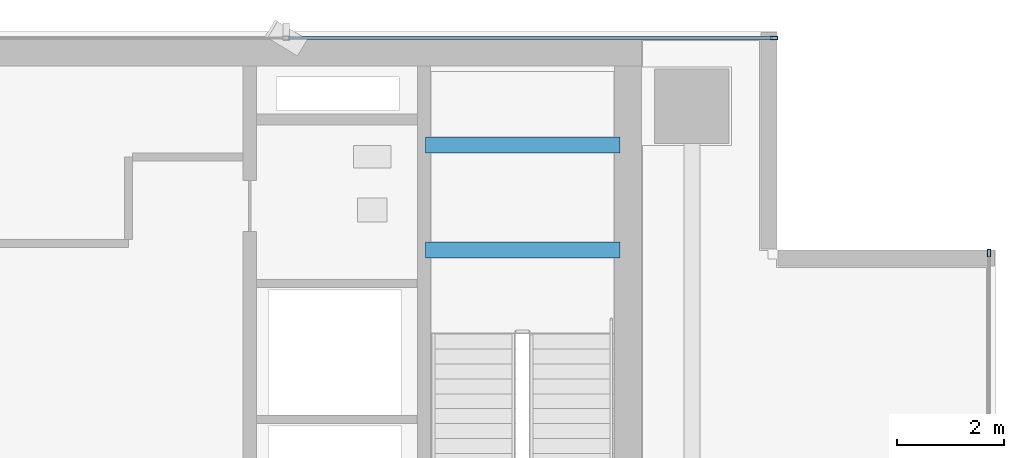
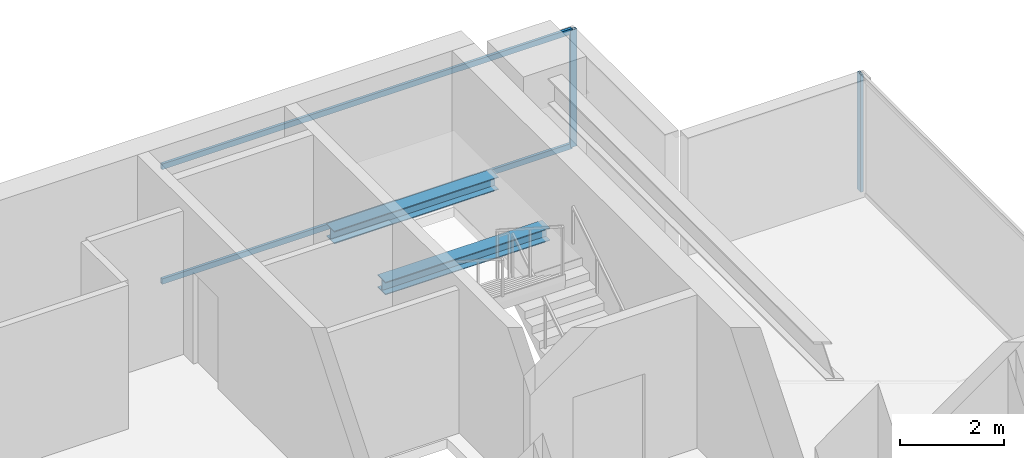
# One storey, part 18 of 26: 4 members, 2 beams, 2 elements without a shape of their own.
"""IFC4 building model written with IfcOpenShell, lengths in metres."""

from ifc_helpers import new_model, si_unit, direction, frame, origin, origin_2d, place, context, subcontext, project, spatial, hollow_rectangle, i_section, extrude, source, transform, mapped, material, layer, layer_set, material_profile, profile_set, type_object, element, aggregate, save


model = new_model("IFC4")

# Units and contexts
model_context = context("Model", 3, precision=1e-05, world=origin(), true_north=direction((0.0, 1.0)))
body_context = subcontext(model_context, "Body", "Model", "MODEL_VIEW")
ifc_project = project(units=[si_unit("LENGTHUNIT", "METRE"), si_unit("AREAUNIT", "SQUARE_METRE"), si_unit("VOLUMEUNIT", "CUBIC_METRE"), si_unit("PLANEANGLEUNIT", "RADIAN"), si_unit("MASSUNIT", "GRAM", prefix="KILO")], contexts=[model_context])

# Site, building, storey
site_placement = place(None, origin())
site = spatial("IfcSite", under=ifc_project, at=site_placement, CompositionType="ELEMENT")
building_placement = place(site_placement, origin())
building = spatial("IfcBuilding", under=site, at=building_placement, Name="Sumidabori Civic Tower", CompositionType="ELEMENT")
storey_placement = place(building_placement, frame((0.0, 0.0, 264.800048828125)))
storey = spatial("IfcBuildingStorey", under=building, at=storey_placement, Name="L69", CompositionType="ELEMENT", Elevation=264.800048828125)

# Beams
ifc_material_1 = material(Name="Steel SN490", Category="steel")
ifc_material_profile_1 = material_profile(ifc_material_1, i_section(OverallWidth=0.300048828125, OverallDepth=0.300048828125, WebThickness=0.010986328125, FlangeThickness=0.01904296875, at=origin_2d()), Name="HE 300 B")
ifc_profile_set_1 = profile_set([ifc_material_profile_1], Name="Steel SN490")
beam_type = type_object("IfcBeamType", Name="BM-LDG-300", PredefinedType="BEAM", material=ifc_profile_set_1)
shared_shape_1 = source(origin(), body_context, "Body", "SweptSolid", [
    extrude(i_section(OverallWidth=0.300048828125, OverallDepth=0.300048828125, WebThickness=0.010986328125, FlangeThickness=0.01904296875, at=origin_2d()), origin(), (0.0, 0.0, 1.0), 3.64990234375),
])
for number, where, z_axis, x_axis, name in (
    (1, (11.800048828125, 20.09765625, 1.449951171875), (1.0, 0.0, 0.0), (0.0, 1.0, 0.0), "Stair ST-2 Landing Support Beam L69-1A"),
    (2, (11.800048828125, 22.069580078125, 1.449951171875), (1.0, 0.0, 0.0), (0.0, 1.0, 0.0), "Stair ST-2 Landing Trimmer Beam L69-1B"),
):
    element("IfcBeam", number, at=place(storey_placement, frame(where, z_axis=z_axis, x_axis=x_axis)), inside=storey, type_object=beam_type, Name=name, PredefinedType="BEAM", context=body_context, shape_type="MappedRepresentation", body=[
        mapped(shared_shape_1, transform((0.0, 0.0, 0.0), x_axis=(1.0, 0.0, 0.0), y_axis=(0.0, 1.0, 0.0), z_axis=(0.0, 0.0, 1.0), scale=1.0)),
    ])

# Curtain wall, members
ifc_material_2 = material(Name="Anodised Bronze Aluminium AW-6063-T6", Category="aluminium")
ifc_layer = layer(ifc_material_2, 0.179931640625, Name="Anodised Bronze Aluminium AW-6063-T6")
ifc_layer_set = layer_set([ifc_layer], Name="Anodised Bronze Aluminium AW-6063-T6")
curtain_wall_type = type_object("IfcCurtainWallType", Name="CW-SYS-5", PredefinedType="NOTDEFINED", material=ifc_layer_set)
curtain_wall_1_placement = place(storey_placement, origin())
curtain_wall_1 = element("IfcCurtainWall", 3, at=curtain_wall_1_placement, inside=storey, type_object=curtain_wall_type, Name="Curtain Wall CW:L69:R07", PredefinedType="NOTDEFINED")
ifc_material_profile_2 = material_profile(ifc_material_2, hollow_rectangle(XDim=0.06005859375, YDim=0.1298828125, WallThickness=0.0048828125, at=origin_2d()), Name="ALU TRANSOM 130x60")
ifc_profile_set_2 = profile_set([ifc_material_profile_2], Name="Anodised Bronze Aluminium AW-6063-T6")
member_type_1 = type_object("IfcMemberType", Name="CW-TRN-130", PredefinedType="USERDEFINED", material=ifc_profile_set_2)
shared_shape_2 = source(origin(), body_context, "Body", "SweptSolid", [
    extrude(hollow_rectangle(XDim=0.06005859375, YDim=0.1298828125, WallThickness=0.0048828125, at=origin_2d()), origin(), (0.0, 0.0, 1.0), 9.094970703125),
])
member_1_placement = place(storey_placement, frame((18.31005859375, 24.080078125, 0.030029296875), z_axis=(-1.0, 0.0, 0.0), x_axis=(0.0, -1.0, 0.0)))
member_1 = element("IfcMember", 4, at=member_1_placement, type_object=member_type_1, Name="CW-5 transom 1.1", ObjectType="TRANSOM", PredefinedType="USERDEFINED", context=body_context, shape_type="MappedRepresentation", body=[
    mapped(shared_shape_2, transform((0.0, 0.0, 0.0), x_axis=(1.0, 0.0, 0.0), y_axis=(0.0, 1.0, 0.0), z_axis=(0.0, 0.0, 1.0), scale=1.0)),
])
member_2_placement = place(storey_placement, frame((18.31005859375, 24.080078125, 2.719970703125), z_axis=(-1.0, 0.0, 0.0), x_axis=(0.0, -1.0, 0.0)))
member_2 = element("IfcMember", 5, at=member_2_placement, type_object=member_type_1, Name="CW-5 transom 1.2", ObjectType="TRANSOM", PredefinedType="USERDEFINED", context=body_context, shape_type="MappedRepresentation", body=[
    mapped(shared_shape_2, transform((0.0, 0.0, 0.0), x_axis=(1.0, 0.0, 0.0), y_axis=(0.0, 1.0, 0.0), z_axis=(0.0, 0.0, 1.0), scale=1.0)),
])

# Curtain wall, member
curtain_wall_2_placement = place(storey_placement, origin())
curtain_wall_2 = element("IfcCurtainWall", 6, at=curtain_wall_2_placement, inside=storey, type_object=curtain_wall_type, Name="Curtain Wall CW:L69:R04", PredefinedType="NOTDEFINED")
ifc_material_profile_3 = material_profile(ifc_material_2, hollow_rectangle(XDim=0.06005859375, YDim=0.139892578125, WallThickness=0.0048828125, at=origin_2d()), Name="ALU MULLION 140x60")
ifc_profile_set_3 = profile_set([ifc_material_profile_3], Name="Anodised Bronze Aluminium AW-6063-T6")
member_type_2 = type_object("IfcMemberType", Name="CW-MUL-140", PredefinedType="MULLION", material=ifc_profile_set_3)
shared_shape_3 = source(origin(), body_context, "Body", "SweptSolid", [
    extrude(hollow_rectangle(XDim=0.06005859375, YDim=0.139892578125, WallThickness=0.0048828125, at=origin_2d()), origin(), (0.0, 0.0, 1.0), 2.75),
])
member_3_placement = place(storey_placement, frame((22.3798828125, 20.0400390625, 0.0), z_axis=(0.0, 0.0, 1.0), x_axis=(-1.0, 0.0, 0.0)))
member_3 = element("IfcMember", 7, at=member_3_placement, type_object=member_type_2, Name="CW-5 mullion 4", PredefinedType="MULLION", context=body_context, shape_type="MappedRepresentation", body=[
    mapped(shared_shape_3, transform((0.0, 0.0, 0.0), x_axis=(1.0, 0.0, 0.0), y_axis=(0.0, 1.0, 0.0), z_axis=(0.0, 0.0, 1.0), scale=1.0)),
])
aggregate(curtain_wall_2, [member_3])

# Member
member_4_placement = place(storey_placement, frame((18.340087890625, 24.080078125, 0.0), z_axis=(0.0, 0.0, 1.0), x_axis=(0.0, -1.0, 0.0)))
member_4 = element("IfcMember", 8, at=member_4_placement, type_object=member_type_2, Name="CW-5 mullion 1", PredefinedType="MULLION", context=body_context, shape_type="MappedRepresentation", body=[
    mapped(shared_shape_3, transform((0.0, 0.0, 0.0), x_axis=(1.0, 0.0, 0.0), y_axis=(0.0, 1.0, 0.0), z_axis=(0.0, 0.0, 1.0), scale=1.0)),
])

aggregate(curtain_wall_1, [member_4, member_1, member_2])

save(model, "model.ifc")
